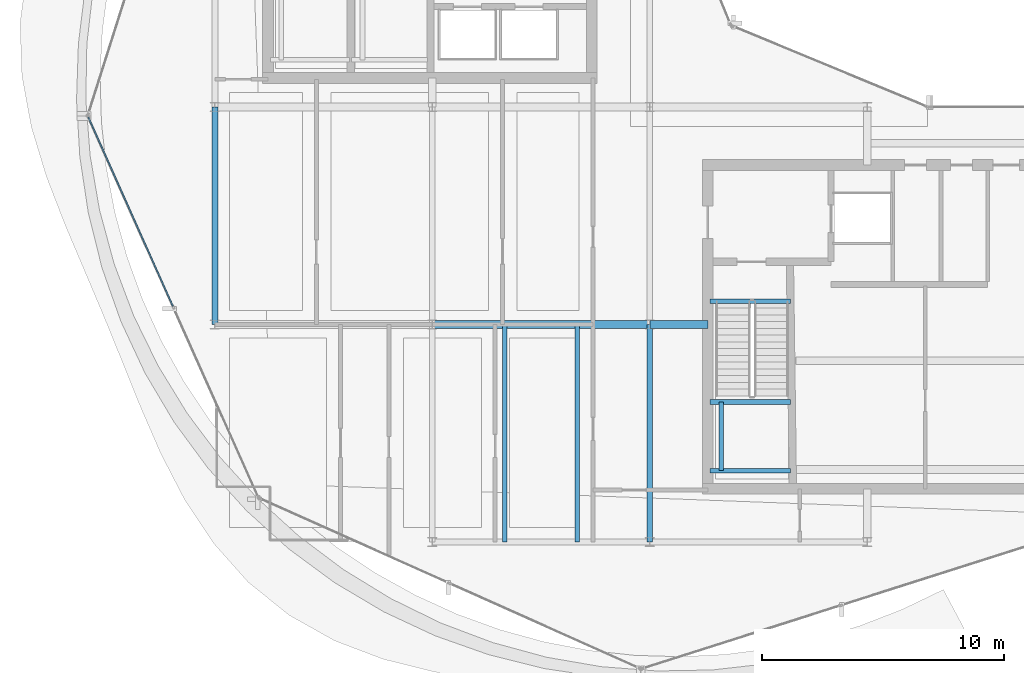
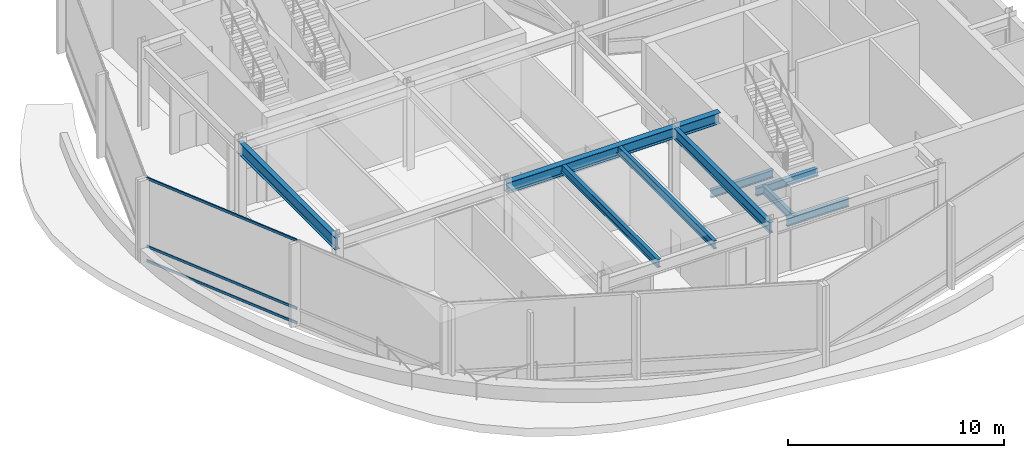
# One storey, part 5 of 23: 10 beams, 3 members, 1 element without a shape of its own.
"""IFC4 building model written with IfcOpenShell, lengths in metres."""

from ifc_helpers import new_model, si_unit, direction, frame, origin, origin_2d, place, context, subcontext, project, spatial, hollow_rectangle, i_section, extrude, material, layer, layer_set, material_profile, profile_set, type_object, element, aggregate, save


model = new_model("IFC4")

# Units and contexts
model_context = context("Model", 3, precision=1e-05, world=origin(), true_north=direction((0.0, 1.0)))
body_context = subcontext(model_context, "Body", "Model", "MODEL_VIEW")
ifc_project = project(units=[si_unit("LENGTHUNIT", "METRE"), si_unit("AREAUNIT", "SQUARE_METRE"), si_unit("VOLUMEUNIT", "CUBIC_METRE"), si_unit("PLANEANGLEUNIT", "RADIAN"), si_unit("MASSUNIT", "GRAM", prefix="KILO")], contexts=[model_context])

# Site, building, storey
site_placement = place(None, origin())
site = spatial("IfcSite", under=ifc_project, at=site_placement, CompositionType="ELEMENT")
building_placement = place(site_placement, origin())
building = spatial("IfcBuilding", under=site, at=building_placement, Name="Solvaryn Broadcast Tower", CompositionType="ELEMENT")
storey_placement = place(building_placement, frame((0.0, 0.0, 235.800048828125)))
storey = spatial("IfcBuildingStorey", under=building, at=storey_placement, Name="L59", CompositionType="ELEMENT", Elevation=235.800048828125)

# Beams
ifc_material_1 = material(Name="Steel ASTM A992 Grade 50", Category="steel")
ifc_material_profile_1 = material_profile(ifc_material_1, i_section(OverallWidth=0.323974609375, OverallDepth=0.611083984375, WebThickness=0.0126953125, FlangeThickness=0.01904296875, FilletRadius=0.014892578125, at=origin_2d()))
ifc_profile_set_1 = profile_set([ifc_material_profile_1], Name="Steel ASTM A992 Grade 50")
beam_type_1 = type_object("IfcBeamType", Name="BM-B1-W24X104", PredefinedType="BEAM", material=ifc_profile_set_1)
beam_1_placement = place(storey_placement, frame((18.0, 18.0, 4.41455078125), z_axis=(1.0, 0.0, 0.0), x_axis=(0.0, 1.0, 0.0)))
element("IfcBeam", 1, at=beam_1_placement, inside=storey, type_object=beam_type_1, Name="L59 Primary Beam X (18-27 @ Y=18)", PredefinedType="BEAM", context=body_context, shape_type="SweptSolid", body=[
    extrude(i_section(OverallWidth=0.323974609375, OverallDepth=0.611083984375, WebThickness=0.0126953125, FlangeThickness=0.01904296875, FilletRadius=0.014892578125, at=origin_2d()), origin(), (0.0, 0.0, 1.0), 9.0),
])
beam_2_placement = place(storey_placement, frame((27.0, 18.0, 4.41455078125), z_axis=(1.0, 0.0, 0.0), x_axis=(0.0, 1.0, 0.0)))
element("IfcBeam", 2, at=beam_2_placement, inside=storey, type_object=beam_type_1, Name="L59 Core Tie Beam CTE4", PredefinedType="BEAM", context=body_context, shape_type="SweptSolid", body=[
    extrude(i_section(OverallWidth=0.323974609375, OverallDepth=0.611083984375, WebThickness=0.0126953125, FlangeThickness=0.01904296875, FilletRadius=0.014892578125, at=origin_2d()), origin(), (0.0, 0.0, 1.0), 2.39990234375),
])
ifc_material_2 = material(Name="Steel ASTM A992 Grade 50", Category="steel")
ifc_material_profile_2 = material_profile(ifc_material_2, i_section(OverallWidth=0.22802734375, OverallDepth=0.60791015625, WebThickness=0.01123046875, FlangeThickness=0.017333984375, FilletRadius=0.014892578125, at=origin_2d()))
ifc_profile_set_2 = profile_set([ifc_material_profile_2], Name="Steel ASTM A992 Grade 50")
beam_type_2 = type_object("IfcBeamType", Name="BM-B2-W24X76", PredefinedType="BEAM", material=ifc_profile_set_2)
beam_3_placement = place(storey_placement, frame((27.0, 9.0, 4.416015625), z_axis=(0.0, 1.0, 0.0), x_axis=(-1.0, 0.0, 0.0)))
element("IfcBeam", 3, at=beam_3_placement, inside=storey, type_object=beam_type_2, Name="L59 Primary Beam Y (9-18 @ X=27)", PredefinedType="BEAM", context=body_context, shape_type="SweptSolid", body=[
    extrude(i_section(OverallWidth=0.22802734375, OverallDepth=0.60791015625, WebThickness=0.01123046875, FlangeThickness=0.017333984375, FilletRadius=0.014892578125, at=origin_2d()), origin(), (0.0, 0.0, 1.0), 9.0),
])
ifc_material_3 = material(Name="Steel ASTM A992 Grade 50", Category="steel")
ifc_material_profile_3 = material_profile(ifc_material_3, i_section(OverallWidth=0.18994140625, OverallDepth=0.45703125, WebThickness=0.009033203125, FlangeThickness=0.014404296875, FilletRadius=0.011962890625, at=origin_2d()))
ifc_profile_set_3 = profile_set([ifc_material_profile_3], Name="Steel ASTM A992 Grade 50")
beam_type_3 = type_object("IfcBeamType", Name="BM-B4-W18X50", PredefinedType="BEAM", material=ifc_profile_set_3)
for number, where, z_axis, x_axis, name in (
    (4, (29.5, 18.9599609375, -0.55859375), (1.0, 0.0, 0.0), (0.0, 1.0, 0.0), "L59 ST3 Stair Well Trimmer Beam"),
    (5, (29.5, 11.949951171875, 2.071533203125), (1.0, 0.0, 0.0), (0.0, 1.0, 0.0), "L59 ST3 Landing Support Beam 1A"),
    (6, (29.5, 14.7900390625, 2.071533203125), (1.0, 0.0, 0.0), (0.0, 1.0, 0.0), "L59 ST3 Landing Support Beam 1B"),
):
    element("IfcBeam", number, at=place(storey_placement, frame(where, z_axis=z_axis, x_axis=x_axis)), inside=storey, type_object=beam_type_3, Name=name, PredefinedType="BEAM", context=body_context, shape_type="SweptSolid", body=[
        extrude(i_section(OverallWidth=0.18994140625, OverallDepth=0.45703125, WebThickness=0.009033203125, FlangeThickness=0.014404296875, FilletRadius=0.011962890625, at=origin_2d()), origin(), (0.0, 0.0, 1.0), 3.320068359375),
    ])
beam_4_placement = place(storey_placement, frame((29.949951171875, 11.949951171875, 2.071533203125), z_axis=(0.0, 1.0, 0.0), x_axis=(-1.0, 0.0, 0.0)))
element("IfcBeam", 7, at=beam_4_placement, inside=storey, type_object=beam_type_3, Name="L59 ST3 Landing Cross Stringer 1C", PredefinedType="BEAM", context=body_context, shape_type="SweptSolid", body=[
    extrude(i_section(OverallWidth=0.18994140625, OverallDepth=0.45703125, WebThickness=0.009033203125, FlangeThickness=0.014404296875, FilletRadius=0.011962890625, at=origin_2d()), origin(), (0.0, 0.0, 1.0), 2.840087890625),
])
ifc_material_4 = material(Name="Steel ASTM A992 Grade 50", Category="steel")
ifc_material_profile_4 = material_profile(ifc_material_4, i_section(OverallWidth=0.18994140625, OverallDepth=0.45703125, WebThickness=0.009033203125, FlangeThickness=0.014404296875, FilletRadius=0.011962890625, at=origin_2d()))
ifc_profile_set_4 = profile_set([ifc_material_profile_4], Name="Steel ASTM A992 Grade 50")
beam_type_4 = type_object("IfcBeamType", Name="BM-JOIST-W18X50", PredefinedType="JOIST", material=ifc_profile_set_4)
for number, where, z_axis, x_axis, name in (
    (8, (21.0, 9.0, 4.491455078125), (0.0, 1.0, 0.0), (-1.0, 0.0, 0.0), "L59 Sky-Garden Floor Joist 1"),
    (9, (24.0, 9.0, 4.491455078125), (0.0, 1.0, 0.0), (-1.0, 0.0, 0.0), "L59 Sky-Garden Floor Joist 2"),
):
    element("IfcBeam", number, at=place(storey_placement, frame(where, z_axis=z_axis, x_axis=x_axis)), inside=storey, type_object=beam_type_4, Name=name, PredefinedType="JOIST", context=body_context, shape_type="SweptSolid", body=[
        extrude(i_section(OverallWidth=0.18994140625, OverallDepth=0.45703125, WebThickness=0.009033203125, FlangeThickness=0.014404296875, FilletRadius=0.011962890625, at=origin_2d()), origin(), (0.0, 0.0, 1.0), 9.0),
    ])
ifc_material_5 = material(Name="Steel ASTM A992 Grade 50", Category="steel")
ifc_material_profile_5 = material_profile(ifc_material_5, i_section(OverallWidth=0.256103515625, OverallDepth=0.693115234375, WebThickness=0.014404296875, FlangeThickness=0.023681640625, FilletRadius=0.01611328125, at=origin_2d()))
ifc_profile_set_5 = profile_set([ifc_material_profile_5], Name="Steel ASTM A992 Grade 50")
beam_type_5 = type_object("IfcBeamType", Name="BM-SP3-W27X114", PredefinedType="USERDEFINED", material=ifc_profile_set_5)
beam_5_placement = place(storey_placement, frame((9.0, 18.0, 4.37353515625), z_axis=(0.0, 1.0, 0.0), x_axis=(-1.0, 0.0, 0.0)))
element("IfcBeam", 10, at=beam_5_placement, inside=storey, type_object=beam_type_5, Name="L59 Spandrel Beam Y (18-27 @ X=9)", ObjectType="SPANDREL", PredefinedType="USERDEFINED", context=body_context, shape_type="SweptSolid", body=[
    extrude(i_section(OverallWidth=0.256103515625, OverallDepth=0.693115234375, WebThickness=0.014404296875, FlangeThickness=0.023681640625, FilletRadius=0.01611328125, at=origin_2d()), origin(), (0.0, 0.0, 1.0), 9.0),
])

# Curtain wall, members
ifc_material_6 = material(Name="Aluminium and Terracotta Unitised Curtain Wall", Category="masonry")
ifc_layer = layer(ifc_material_6, 0.25)
ifc_layer_set = layer_set([ifc_layer], Name="CW-SYS4-SKYGARDEN")
curtain_wall_type = type_object("IfcCurtainWallType", Name="CW-SYS4-SKYGARDEN", PredefinedType="NOTDEFINED", material=ifc_layer_set)
curtain_wall_placement = place(storey_placement, origin())
curtain_wall = element("IfcCurtainWall", 11, at=curtain_wall_placement, inside=storey, type_object=curtain_wall_type, Name="L59 Curtain Wall DR2", PredefinedType="NOTDEFINED")
ifc_material_7 = material(Name="Anodised Aluminium 6063-T6", Category="aluminium")
ifc_material_profile_6 = material_profile(ifc_material_7, hollow_rectangle(XDim=0.06494140625, YDim=0.14990234375, WallThickness=0.00390625, InnerFilletRadius=0.00390625, OuterFilletRadius=0.008056640625, at=origin_2d()))
ifc_profile_set_6 = profile_set([ifc_material_profile_6], Name="Anodised Aluminium 6063-T6")
member_type = type_object("IfcMemberType", Name="CW-TRN-150", PredefinedType="USERDEFINED", material=ifc_profile_set_6)
member_1_placement = place(storey_placement, frame((3.762451171875, 26.581298828125, 0.030029296875), z_axis=(0.408459074172, -0.91277663463, 0.0), x_axis=(0.91277663463, 0.408459074172, 0.0)))
member_1 = element("IfcMember", 12, at=member_1_placement, type_object=member_type, Name="CWS4 transom 1.1", ObjectType="TRANSOM", PredefinedType="USERDEFINED", context=body_context, shape_type="SweptSolid", body=[
    extrude(hollow_rectangle(XDim=0.06494140625, YDim=0.14990234375, WallThickness=0.00390625, InnerFilletRadius=0.00390625, OuterFilletRadius=0.008056640625, at=origin_2d()), origin(), (0.0, 0.0, 1.0), 8.575439453125),
])
member_2_placement = place(storey_placement, frame((3.762451171875, 26.581298828125, 0.849853515625), z_axis=(0.408459074172, -0.91277663463, 0.0), x_axis=(0.91277663463, 0.408459074172, 0.0)))
member_2 = element("IfcMember", 13, at=member_2_placement, type_object=member_type, Name="CWS4 transom 1.2", ObjectType="TRANSOM", PredefinedType="USERDEFINED", context=body_context, shape_type="SweptSolid", body=[
    extrude(hollow_rectangle(XDim=0.06494140625, YDim=0.14990234375, WallThickness=0.00390625, InnerFilletRadius=0.00390625, OuterFilletRadius=0.008056640625, at=origin_2d()), origin(), (0.0, 0.0, 1.0), 8.575439453125),
])
member_3_placement = place(storey_placement, frame((3.762451171875, 26.581298828125, 4.68994140625), z_axis=(0.408459074172, -0.91277663463, 0.0), x_axis=(0.91277663463, 0.408459074172, 0.0)))
member_3 = element("IfcMember", 14, at=member_3_placement, type_object=member_type, Name="CWS4 transom 1.3", ObjectType="TRANSOM", PredefinedType="USERDEFINED", context=body_context, shape_type="SweptSolid", body=[
    extrude(hollow_rectangle(XDim=0.06494140625, YDim=0.14990234375, WallThickness=0.00390625, InnerFilletRadius=0.00390625, OuterFilletRadius=0.008056640625, at=origin_2d()), origin(), (0.0, 0.0, 1.0), 8.575439453125),
])
aggregate(curtain_wall, [member_1, member_2, member_3])

save(model, "model.ifc")
